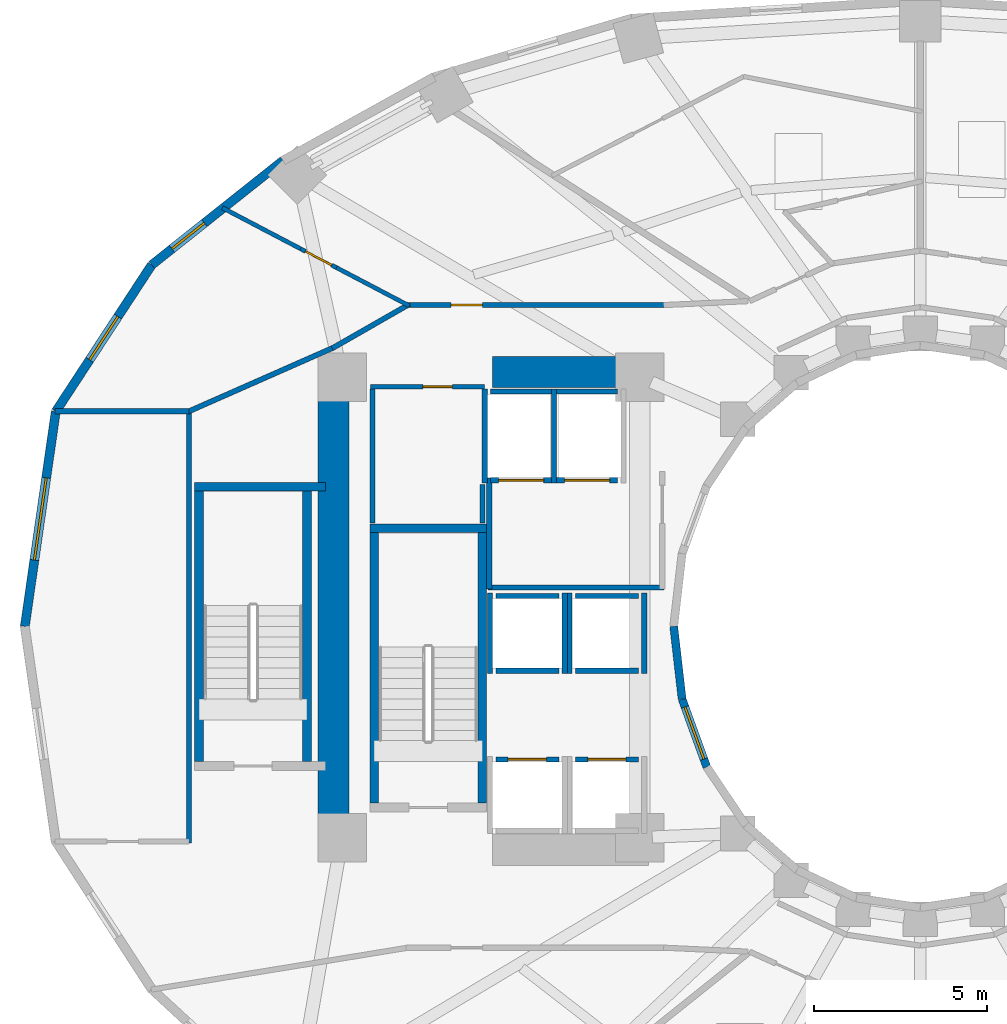
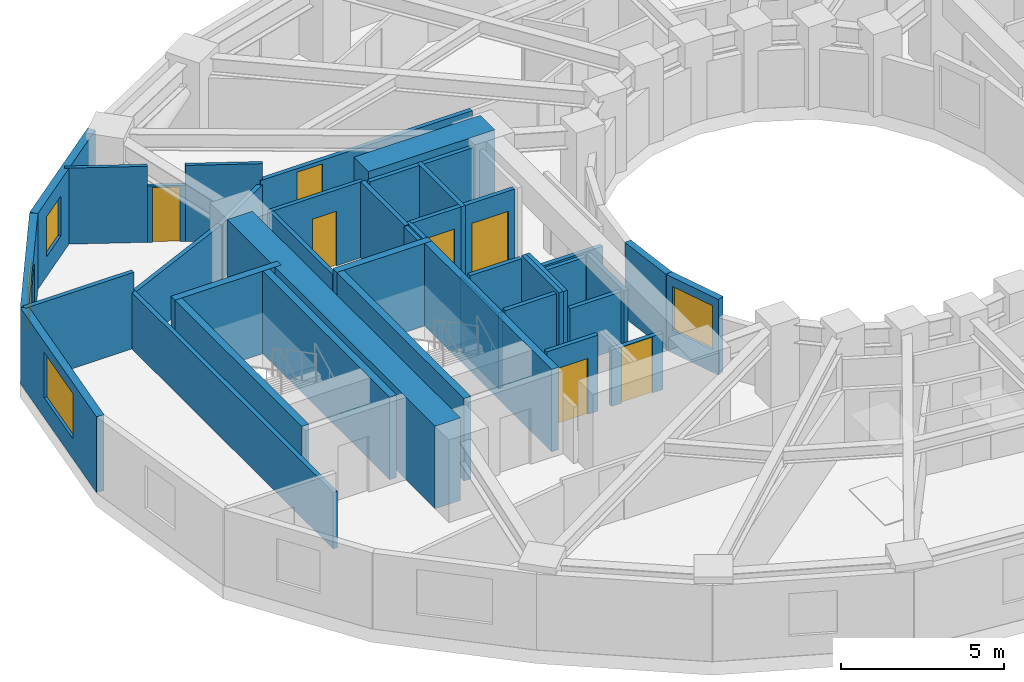
# One storey, part 4 of 9: 42 walls, 7 doors, 4 windows, 11 openings.
"""IFC4 building model written with IfcOpenShell, lengths in metres."""

from ifc_helpers import new_model, si_unit, direction, frame, frame_2d, origin, place, context, subcontext, project, spatial, rectangle, extrude, material, layer, layer_set, type_object, element, fill, save


model = new_model("IFC4")

# Units and contexts
model_context = context("Model", 3, precision=1e-05, world=origin(), true_north=direction((0.0, 1.0)))
body_context = subcontext(model_context, "Body", "Model", "MODEL_VIEW")
ifc_project = project(units=[si_unit("LENGTHUNIT", "METRE"), si_unit("AREAUNIT", "SQUARE_METRE"), si_unit("VOLUMEUNIT", "CUBIC_METRE"), si_unit("PLANEANGLEUNIT", "RADIAN"), si_unit("MASSUNIT", "GRAM", prefix="KILO")], contexts=[model_context])

# Site, building, storey
site_placement = place(None, origin())
site = spatial("IfcSite", under=ifc_project, at=site_placement, CompositionType="ELEMENT")
building_placement = place(site_placement, origin())
building = spatial("IfcBuilding", under=site, at=building_placement, Name="Solvane Sanctuary Tower", CompositionType="ELEMENT")
storey_placement = place(building_placement, frame((0.0, 0.0, 55.5)))
storey = spatial("IfcBuildingStorey", under=building, at=storey_placement, Name="L16", CompositionType="ELEMENT", Elevation=55.5)

# Walls
ifc_material_1 = material(Name="Concrete C70/85", Category="concrete")
ifc_layer_1 = layer(ifc_material_1, 0.89990234375, Name="Concrete C70/85")
ifc_layer_set_1 = layer_set([ifc_layer_1], Name="Concrete C70/85")
wall_type_1 = type_object("IfcWallType", Name="Wall W-CORE-900", PredefinedType="SHEAR", material=ifc_layer_set_1)
wall_1_placement = place(storey_placement, frame((15.050048828125, 17.050048828125, 0.0), z_axis=(0.0, 0.0, 1.0), x_axis=(0.0, 1.0, 0.0)))
element("IfcWall", 1, at=wall_1_placement, inside=storey, type_object=wall_type_1, Name="L16 Core Shear Wall WC-W", PredefinedType="SHEAR", context=body_context, shape_type="SweptSolid", body=[
    extrude(rectangle(XDim=12.800048828125, YDim=0.89990234375, at=frame_2d((6.39990234375, 0.0))), origin(), (0.0, 0.0, 1.0), 3.10009765625),
])
wall_2_placement = place(storey_placement, frame((19.64990234375, 30.35009765625, 0.0), z_axis=(0.0, 0.0, 1.0), x_axis=(1.0, 0.0, 0.0)))
element("IfcWall", 2, at=wall_2_placement, inside=storey, type_object=wall_type_1, Name="L16 Core Shear Wall WC-N", PredefinedType="SHEAR", context=body_context, shape_type="SweptSolid", body=[
    extrude(rectangle(XDim=4.5, YDim=0.89990234375, at=frame_2d((2.25, 0.0))), origin(), (0.0, 0.0, 1.0), 3.10009765625),
])
ifc_material_2 = material(Name="Acoustic Gypsum Partition Board")
ifc_layer_2 = layer(ifc_material_2, 0.14990234375, Name="Acoustic Gypsum Partition Board")
ifc_layer_set_2 = layer_set([ifc_layer_2], Name="Acoustic Gypsum Partition Board")
wall_type_2 = type_object("IfcWallType", Name="Wall W-CORR-150", PredefinedType="PARTITIONING", material=ifc_layer_set_2)
wall_3_placement = place(storey_placement, frame((19.52001953125, 24.1201171875, 0.0), z_axis=(0.0, 0.0, 1.0), x_axis=(1.0, 0.0, 0.0)))
element("IfcWall", 3, at=wall_3_placement, inside=storey, type_object=wall_type_2, Name="L16 West Firefighting Lobby South Wall", PredefinedType="PARTITIONING", context=body_context, shape_type="SweptSolid", body=[
    extrude(rectangle(XDim=5.080078125, YDim=0.14990234375, at=frame_2d((2.5400390625, 0.0))), origin(), (0.0, 0.0, 1.0), 2.1201171875),
])
wall_4_placement = place(storey_placement, frame((19.550048828125, 24.080078125, 0.0), z_axis=(0.0, 0.0, 1.0), x_axis=(0.0, 1.0, 0.0)))
element("IfcWall", 4, at=wall_4_placement, inside=storey, type_object=wall_type_2, Name="L16 West Firefighting Lobby West Wall", PredefinedType="PARTITIONING", context=body_context, shape_type="SweptSolid", body=[
    extrude(rectangle(XDim=3.199951171875, YDim=0.14990234375, at=frame_2d((1.60009765625, 0.0))), origin(), (0.0, 0.0, 1.0), 2.85498046875),
])
wall_5_placement = place(storey_placement, frame((10.8798828125, 16.748291015625, 0.0), z_axis=(0.0, 0.0, 1.0), x_axis=(0.0, 1.0, 0.0)))
element("IfcWall", 5, at=wall_5_placement, inside=storey, type_object=wall_type_2, Name="L16 West Shoulder Back Wall", PredefinedType="PARTITIONING", context=body_context, shape_type="SweptSolid", body=[
    extrude(rectangle(XDim=12.50341796875, YDim=0.14990234375, at=frame_2d((6.251708984375, 0.0))), origin(), (0.0, 0.0, 1.0), 2.1201171875),
])
wall_6_placement = place(storey_placement, frame((7.013671875, 29.211669921875, 0.0), z_axis=(0.0, 0.0, 1.0), x_axis=(1.0, 0.0, 0.0)))
element("IfcWall", 6, at=wall_6_placement, inside=storey, type_object=wall_type_2, Name="L16 West Shoulder North Wall", PredefinedType="PARTITIONING", context=body_context, shape_type="SweptSolid", body=[
    extrude(rectangle(XDim=3.8662109375, YDim=0.14990234375, at=frame_2d((1.93310546875, 0.0))), origin(), (0.0, 0.0, 1.0), 2.85498046875),
])
wall_7_placement = place(storey_placement, frame((10.843505859375, 29.195556640625, 0.0), z_axis=(0.0, 0.0, 1.0), x_axis=(0.91502756289, 0.403391322604, 0.0)))
element("IfcWall", 7, at=wall_7_placement, inside=storey, type_object=wall_type_2, Name="L16 NW Corner Closer 1", PredefinedType="PARTITIONING", context=body_context, shape_type="SweptSolid", body=[
    extrude(rectangle(XDim=4.63720703125, YDim=0.14990234375, at=frame_2d((2.318603515625, 0.0))), origin(), (0.0, 0.0, 1.0), 2.069091796875),
])

# Wall, opening, door
wall_8_placement = place(storey_placement, frame((17.14990234375, 32.280029296875, 0.0), z_axis=(0.0, 0.0, 1.0), x_axis=(1.0, 0.0, 0.0)))
wall_8 = element("IfcWall", 8, at=wall_8_placement, inside=storey, type_object=wall_type_2, Name="L16 NW Corner Corridor Wall", PredefinedType="PARTITIONING", context=body_context, shape_type="SweptSolid", body=[
    extrude(rectangle(XDim=7.52001953125, YDim=0.14990234375, at=frame_2d((3.760009765625, 0.0))), origin(), (0.0, 0.0, 1.0), 2.237060546875),
])
opening_1_placement = place(wall_8_placement, frame((1.300048828125, 0.0, 0.0)))
opening_1 = element("IfcOpeningElement", 9, at=opening_1_placement, cuts=wall_8, Name="Opening D-L16-14", PredefinedType="OPENING", context=body_context, shape_type="SweptSolid", body=[
    extrude(rectangle(XDim=0.89990234375, YDim=2.10009765625, at=frame_2d((0.449951171875, 1.050048828125))), frame((0.0, 0.0849609375, 0.0), z_axis=(0.0, -1.0, 0.0), x_axis=(1.0, 0.0, 0.0)), (0.0, 0.0, 1.0), 0.169921875),
])
ifc_material_3 = material(Name="Engineered Tropical Hardwood", Category="wood")
door_type_1 = type_object("IfcDoorType", Name="Door D-WET-900", OperationType="NOTDEFINED", PredefinedType="DOOR", material=ifc_material_3)
door_1_placement = place(opening_1_placement, origin())
door_1 = element("IfcDoor", 10, at=door_1_placement, inside=storey, type_object=door_type_1, Name="L16 NW Corner Salon Door", OperationType="SINGLE_SWING_RIGHT", OverallHeight=2.10009765625, OverallWidth=0.89990234375, PredefinedType="DOOR", context=body_context, shape_type="SweptSolid", body=[
    extrude(rectangle(XDim=0.89990234375, YDim=2.10009765625, at=frame_2d((0.449951171875, 1.050048828125))), frame((0.0, 0.02490234375, 0.0), z_axis=(0.0, -1.0, 0.0), x_axis=(1.0, 0.0, 0.0)), (0.0, 0.0, 1.0), 0.050048828125),
])
fill(opening_1, door_1)

# Wall
wall_9_placement = place(storey_placement, frame((17.243408203125, 32.3046875, 0.0), z_axis=(0.0, 0.0, 1.0), x_axis=(-0.867991349648, -0.496579315857, 0.0)))
element("IfcWall", 11, at=wall_9_placement, inside=storey, type_object=wall_type_2, Name="L16 NW Corner Wing Wall", PredefinedType="PARTITIONING", context=body_context, shape_type="SweptSolid", body=[
    extrude(rectangle(XDim=2.56689453125, YDim=0.14990234375, at=frame_2d((1.283447265625, 0.0))), origin(), (0.0, 0.0, 1.0), 2.069091796875),
])

# Wall, opening, window
ifc_material_4 = material(Name="Precast concrete C40/50", Category="concrete")
ifc_layer_3 = layer(ifc_material_4, 0.260009765625, Name="Precast concrete C40/50")
ifc_layer_set_3 = layer_set([ifc_layer_3], Name="Precast concrete C40/50")
wall_type_3 = type_object("IfcWallType", Name="Wall W-EXT-250", PredefinedType="STANDARD", material=ifc_layer_set_3)
wall_10_placement = place(storey_placement, frame((13.595458984375, 36.449951171875, 0.0), z_axis=(0.0, 0.0, 1.0), x_axis=(-0.783123133379, -0.621866672179, 0.0)))
wall_10 = element("IfcWall", 12, at=wall_10_placement, inside=storey, type_object=wall_type_3, Name="L16 Ceramic-Printed Facade Wall 09", PredefinedType="STANDARD", context=body_context, shape_type="SweptSolid", body=[
    extrude(rectangle(XDim=4.838623046875, YDim=0.260009765625, at=frame_2d((2.41943359375, 0.0))), origin(), (0.0, 0.0, 1.0), 2.85009765625),
])
opening_2_placement = place(wall_10_placement, frame((2.897705078125, 0.0, 0.75)))
opening_2 = element("IfcOpeningElement", 13, at=opening_2_placement, cuts=wall_10, Name="Opening WN-OPER-1200", PredefinedType="OPENING", context=body_context, shape_type="SweptSolid", body=[
    extrude(rectangle(XDim=1.199951171875, YDim=1.5, at=frame_2d((0.60009765625, 0.75))), frame((0.0, 0.139892578125, 0.0), z_axis=(0.0, -1.0, 0.0), x_axis=(1.0, 0.0, 0.0)), (0.0, 0.0, 1.0), 0.280029296875),
])
ifc_material_5 = material(Name="Dark Ceramic-Fritted Low-E Glass", Category="glass")
window_type_1 = type_object("IfcWindowType", Name="Window WN-OPER-1200", PartitioningType="SINGLE_PANEL", PredefinedType="WINDOW", material=ifc_material_5)
window_1_placement = place(opening_2_placement, origin())
window_1 = element("IfcWindow", 14, at=window_1_placement, inside=storey, type_object=window_type_1, Name="L16 Operable Facade Window 09", OverallHeight=1.5, OverallWidth=1.199951171875, PartitioningType="SINGLE_PANEL", PredefinedType="WINDOW", context=body_context, shape_type="SweptSolid", body=[
    extrude(rectangle(XDim=1.199951171875, YDim=1.5, at=frame_2d((0.60009765625, 0.75))), frame((0.0, 0.030029296875, 0.0), z_axis=(0.0, -1.0, 0.0), x_axis=(1.0, 0.0, 0.0)), (0.0, 0.0, 1.0), 0.06005859375),
])
fill(opening_2, window_1)

wall_11_placement = place(storey_placement, frame((9.80615234375, 33.44091796875, 0.0), z_axis=(0.0, 0.0, 1.0), x_axis=(-0.547702757047, -0.836672988642, 0.0)))
wall_11 = element("IfcWall", 15, at=wall_11_placement, inside=storey, type_object=wall_type_3, Name="L16 Ceramic-Printed Facade Wall 10", PredefinedType="STANDARD", context=body_context, shape_type="SweptSolid", body=[
    extrude(rectangle(XDim=5.0625, YDim=0.260009765625, at=frame_2d((2.53125, 0.0))), origin(), (0.0, 0.0, 1.0), 2.85009765625),
])
opening_3_placement = place(wall_11_placement, frame((1.78125, 0.0, 0.75)))
opening_3 = element("IfcOpeningElement", 16, at=opening_3_placement, cuts=wall_11, Name="Opening WN-OPER-1500", PredefinedType="OPENING", context=body_context, shape_type="SweptSolid", body=[
    extrude(rectangle(XDim=1.5, YDim=1.60009765625, at=frame_2d((0.75, 0.800048828125))), frame((0.0, 0.139892578125, 0.0), z_axis=(0.0, -1.0, 0.0), x_axis=(1.0, 0.0, 0.0)), (0.0, 0.0, 1.0), 0.280029296875),
])
window_type_2 = type_object("IfcWindowType", Name="Window WN-OPER-1500", PartitioningType="SINGLE_PANEL", PredefinedType="WINDOW", material=ifc_material_5)
window_2_placement = place(opening_3_placement, origin())
window_2 = element("IfcWindow", 17, at=window_2_placement, inside=storey, type_object=window_type_2, Name="L16 Operable Facade Window 10", OverallHeight=1.60009765625, OverallWidth=1.5, PartitioningType="SINGLE_PANEL", PredefinedType="WINDOW", context=body_context, shape_type="SweptSolid", body=[
    extrude(rectangle(XDim=1.5, YDim=1.60009765625, at=frame_2d((0.75, 0.800048828125))), frame((0.0, 0.030029296875, 0.0), z_axis=(0.0, -1.0, 0.0), x_axis=(1.0, 0.0, 0.0)), (0.0, 0.0, 1.0), 0.06005859375),
])
fill(opening_3, window_2)

wall_12_placement = place(storey_placement, frame((7.033447265625, 29.205322265625, 0.0), z_axis=(0.0, 0.0, 1.0), x_axis=(-0.142528001686, -0.989790770181, 0.0)))
wall_12 = element("IfcWall", 18, at=wall_12_placement, inside=storey, type_object=wall_type_3, Name="L16 Ceramic-Printed Facade Wall 11", PredefinedType="STANDARD", context=body_context, shape_type="SweptSolid", body=[
    extrude(rectangle(XDim=6.269287109375, YDim=0.260009765625, at=frame_2d((3.134765625, 0.0))), origin(), (0.0, 0.0, 1.0), 2.85009765625),
])
opening_4_placement = place(wall_12_placement, frame((1.9345703125, 0.0, 0.75)))
opening_4 = element("IfcOpeningElement", 19, at=opening_4_placement, cuts=wall_12, Name="Opening WN-RIB-2400", PredefinedType="OPENING", context=body_context, shape_type="SweptSolid", body=[
    extrude(rectangle(XDim=2.39990234375, YDim=1.699951171875, at=frame_2d((1.199951171875, 0.85009765625))), frame((0.0, 0.139892578125, 0.0), z_axis=(0.0, -1.0, 0.0), x_axis=(1.0, 0.0, 0.0)), (0.0, 0.0, 1.0), 0.280029296875),
])
window_type_3 = type_object("IfcWindowType", Name="Window WN-RIB-2400", PartitioningType="SINGLE_PANEL", PredefinedType="WINDOW", material=ifc_material_5)
window_3_placement = place(opening_4_placement, origin())
window_3 = element("IfcWindow", 20, at=window_3_placement, inside=storey, type_object=window_type_3, Name="L16 Operable Facade Window 11", OverallHeight=1.699951171875, OverallWidth=2.39990234375, PartitioningType="SINGLE_PANEL", PredefinedType="WINDOW", context=body_context, shape_type="SweptSolid", body=[
    extrude(rectangle(XDim=2.39990234375, YDim=1.699951171875, at=frame_2d((1.199951171875, 0.85009765625))), frame((0.0, 0.030029296875, 0.0), z_axis=(0.0, -1.0, 0.0), x_axis=(1.0, 0.0, 0.0)), (0.0, 0.0, 1.0), 0.06005859375),
])
fill(opening_4, window_3)

# Wall
ifc_layer_4 = layer(ifc_material_4, 0.22998046875, Name="Precast concrete C40/50")
ifc_layer_set_4 = layer_set([ifc_layer_4], Name="Precast concrete C40/50")
wall_type_4 = type_object("IfcWallType", Name="Wall W-EXT-SP220", PredefinedType="STANDARD", material=ifc_layer_set_4)
wall_13_placement = place(storey_placement, frame((24.8798828125, 23.0, 0.0), z_axis=(0.0, 0.0, 1.0), x_axis=(0.114711713601, -0.993398823617, 0.0)))
element("IfcWall", 21, at=wall_13_placement, inside=storey, type_object=wall_type_4, Name="L16 Central Light-Well Wall 12", PredefinedType="STANDARD", context=body_context, shape_type="SweptSolid", body=[
    extrude(rectangle(XDim=2.115478515625, YDim=0.22998046875, at=frame_2d((1.0576171875, 0.0))), origin(), (0.0, 0.0, 1.0), 2.840087890625),
])

# Wall, opening, window
wall_14_placement = place(storey_placement, frame((25.12255859375, 20.8984375, 0.0), z_axis=(0.0, 0.0, 1.0), x_axis=(0.341423187295, -0.93990968033, 0.0)))
wall_14 = element("IfcWall", 22, at=wall_14_placement, inside=storey, type_object=wall_type_4, Name="L16 Central Light-Well Wall 13", PredefinedType="STANDARD", context=body_context, shape_type="SweptSolid", body=[
    extrude(rectangle(XDim=2.083740234375, YDim=0.22998046875, at=frame_2d((1.0419921875, 0.0))), origin(), (0.0, 0.0, 1.0), 2.840087890625),
])
opening_5_placement = place(wall_14_placement, frame((0.24169921875, 0.0, 0.85009765625)))
opening_5 = element("IfcOpeningElement", 23, at=opening_5_placement, cuts=wall_14, Name="Opening WN-WELL-1600", PredefinedType="OPENING", context=body_context, shape_type="SweptSolid", body=[
    extrude(rectangle(XDim=1.60009765625, YDim=1.64990234375, at=frame_2d((0.800048828125, 0.824951171875))), frame((0.0, 0.125, 0.0), z_axis=(0.0, -1.0, 0.0), x_axis=(1.0, 0.0, 0.0)), (0.0, 0.0, 1.0), 0.25),
])
ifc_material_6 = material(Name="Clear Laminated Light-Well Glass", Category="glass")
window_type_4 = type_object("IfcWindowType", Name="Window WN-WELL-1600", PartitioningType="SINGLE_PANEL", PredefinedType="WINDOW", material=ifc_material_6)
window_4_placement = place(opening_5_placement, origin())
window_4 = element("IfcWindow", 24, at=window_4_placement, inside=storey, type_object=window_type_4, Name="L16 Light-Well Daylight Window 13", OverallHeight=1.64990234375, OverallWidth=1.60009765625, PartitioningType="SINGLE_PANEL", PredefinedType="WINDOW", context=body_context, shape_type="SweptSolid", body=[
    extrude(rectangle(XDim=1.60009765625, YDim=1.64990234375, at=frame_2d((0.800048828125, 0.824951171875))), frame((0.0, 0.030029296875, 0.0), z_axis=(0.0, -1.0, 0.0), x_axis=(1.0, 0.0, 0.0)), (0.0, 0.0, 1.0), 0.06005859375),
])
fill(opening_5, window_4)

# Wall
ifc_layer_5 = layer(ifc_material_2, 0.1201171875, Name="Acoustic Gypsum Partition Board")
ifc_layer_set_5 = layer_set([ifc_layer_5], Name="Acoustic Gypsum Partition Board")
wall_type_5 = type_object("IfcWallType", Name="Wall W-MOV-100", PredefinedType="MOVABLE", material=ifc_layer_set_5)
wall_15_placement = place(storey_placement, frame((17.244384765625, 32.2568359375, 0.0), z_axis=(0.0, 0.0, 1.0), x_axis=(-0.885586030676, 0.464475383924, 0.0)))
element("IfcWall", 25, at=wall_15_placement, inside=storey, type_object=wall_type_5, Name="L16 NW Corner Suite Partition", PredefinedType="MOVABLE", context=body_context, shape_type="SweptSolid", body=[
    extrude(rectangle(XDim=2.375732421875, YDim=0.1201171875, at=frame_2d((1.18798828125, 0.0))), origin(), (0.0, 0.0, 1.0), 2.85498046875),
])

# Wall, opening, door
wall_16_placement = place(storey_placement, frame((15.140380859375, 33.3603515625, 0.0), z_axis=(0.0, 0.0, 1.0), x_axis=(-0.885447282698, 0.464739829972, 0.0)))
wall_16 = element("IfcWall", 26, at=wall_16_placement, inside=storey, type_object=wall_type_5, Name="L16 NW Corner Suite Partition", PredefinedType="MOVABLE", context=body_context, shape_type="SweptSolid", body=[
    extrude(rectangle(XDim=1.169921875, YDim=0.1201171875, at=frame_2d((0.5849609375, 0.0))), origin(), (0.0, 0.0, 1.0), 2.110107421875),
])
opening_6_placement = place(wall_16_placement, frame((0.159912109375, 0.0, 0.0)))
opening_6 = element("IfcOpeningElement", 27, at=opening_6_placement, cuts=wall_16, Name="Opening D-L16-13", PredefinedType="OPENING", context=body_context, shape_type="SweptSolid", body=[
    extrude(rectangle(XDim=0.85009765625, YDim=2.050048828125, at=frame_2d((0.425048828125, 1.02490234375))), frame((0.0, 0.070068359375, 0.0), z_axis=(0.0, -1.0, 0.0), x_axis=(1.0, 0.0, 0.0)), (0.0, 0.0, 1.0), 0.14013671875),
])
ifc_material_7 = material(Name="Architectural Stainless Steel 316", Category="steel")
door_type_2 = type_object("IfcDoorType", Name="Door D-RISER", OperationType="NOTDEFINED", PredefinedType="DOOR", material=ifc_material_7)
door_2_placement = place(opening_6_placement, origin())
door_2 = element("IfcDoor", 28, at=door_2_placement, inside=storey, type_object=door_type_2, Name="L16 NW Corner Suite Door", OperationType="SINGLE_SWING_LEFT", OverallHeight=2.050048828125, OverallWidth=0.85009765625, PredefinedType="DOOR", context=body_context, shape_type="SweptSolid", body=[
    extrude(rectangle(XDim=0.85009765625, YDim=2.050048828125, at=frame_2d((0.425048828125, 1.02490234375))), frame((0.0, 0.02490234375, 0.0), z_axis=(0.0, -1.0, 0.0), x_axis=(1.0, 0.0, 0.0)), (0.0, 0.0, 1.0), 0.050048828125),
])
fill(opening_6, door_2)

# Wall
wall_17_placement = place(storey_placement, frame((14.1044921875, 33.904052734375, 0.0), z_axis=(0.0, 0.0, 1.0), x_axis=(-0.885573027611, 0.464500175208, 0.0)))
element("IfcWall", 29, at=wall_17_placement, inside=storey, type_object=wall_type_5, Name="L16 NW Corner Suite Partition", PredefinedType="MOVABLE", context=body_context, shape_type="SweptSolid", body=[
    extrude(rectangle(XDim=2.55224609375, YDim=0.1201171875, at=frame_2d((1.276123046875, 0.0))), origin(), (0.0, 0.0, 1.0), 2.85498046875),
])

# Wall, opening, door
ifc_material_8 = material(Name="Concrete C50/60", Category="concrete")
ifc_layer_6 = layer(ifc_material_8, 0.14990234375, Name="Concrete C50/60")
ifc_layer_set_6 = layer_set([ifc_layer_6], Name="Concrete C50/60")
wall_type_6 = type_object("IfcWallType", Name="Wall W-SHAFT-150", PredefinedType="SOLIDWALL", material=ifc_layer_set_6)
wall_18_placement = place(storey_placement, frame((19.739990234375, 19.159912109375, 0.0), z_axis=(0.0, 0.0, 1.0), x_axis=(1.0, 0.0, 0.0)))
wall_18 = element("IfcWall", 30, at=wall_18_placement, inside=storey, type_object=wall_type_6, Name="L16 PL-1 Lift Shaft Wall F", PredefinedType="SOLIDWALL", context=body_context, shape_type="SweptSolid", body=[
    extrude(rectangle(XDim=1.820068359375, YDim=0.14990234375, at=frame_2d((0.91015625, 0.0))), origin(), (0.0, 0.0, 1.0), 2.85498046875),
])
opening_7_placement = place(wall_18_placement, frame((0.360107421875, 0.0, 0.0)))
opening_7 = element("IfcOpeningElement", 31, at=opening_7_placement, cuts=wall_18, Name="Opening LD-L16-01", PredefinedType="OPENING", context=body_context, shape_type="SweptSolid", body=[
    extrude(rectangle(XDim=1.10009765625, YDim=2.10009765625, at=frame_2d((0.550048828125, 1.050048828125))), frame((0.0, 0.0849609375, 0.0), z_axis=(0.0, -1.0, 0.0), x_axis=(1.0, 0.0, 0.0)), (0.0, 0.0, 1.0), 0.169921875),
])
door_type_3 = type_object("IfcDoorType", Name="Door LD-PASS-1100", OperationType="NOTDEFINED", PredefinedType="DOOR", material=ifc_material_7)
door_3_placement = place(opening_7_placement, origin())
door_3 = element("IfcDoor", 32, at=door_3_placement, inside=storey, type_object=door_type_3, Name="L16 PL-1 Lift Landing Door", OperationType="DOUBLE_DOOR_SLIDING", OverallHeight=2.10009765625, OverallWidth=1.10009765625, PredefinedType="DOOR", context=body_context, shape_type="SweptSolid", body=[
    extrude(rectangle(XDim=1.10009765625, YDim=2.10009765625, at=frame_2d((0.550048828125, 1.050048828125))), frame((0.0, 0.02490234375, 0.0), z_axis=(0.0, -1.0, 0.0), x_axis=(1.0, 0.0, 0.0)), (0.0, 0.0, 1.0), 0.050048828125),
])
fill(opening_7, door_3)

wall_19_placement = place(storey_placement, frame((22.0400390625, 19.159912109375, 0.0), z_axis=(0.0, 0.0, 1.0), x_axis=(1.0, 0.0, 0.0)))
wall_19 = element("IfcWall", 33, at=wall_19_placement, inside=storey, type_object=wall_type_6, Name="L16 PL-2 Lift Shaft Wall F", PredefinedType="SOLIDWALL", context=body_context, shape_type="SweptSolid", body=[
    extrude(rectangle(XDim=1.820068359375, YDim=0.14990234375, at=frame_2d((0.91015625, 0.0))), origin(), (0.0, 0.0, 1.0), 2.1201171875),
])
opening_8_placement = place(wall_19_placement, frame((0.360107421875, 0.0, 0.0)))
opening_8 = element("IfcOpeningElement", 34, at=opening_8_placement, cuts=wall_19, Name="Opening LD-L16-02", PredefinedType="OPENING", context=body_context, shape_type="SweptSolid", body=[
    extrude(rectangle(XDim=1.10009765625, YDim=2.10009765625, at=frame_2d((0.550048828125, 1.050048828125))), frame((0.0, 0.0849609375, 0.0), z_axis=(0.0, -1.0, 0.0), x_axis=(1.0, 0.0, 0.0)), (0.0, 0.0, 1.0), 0.169921875),
])
door_4_placement = place(opening_8_placement, origin())
door_4 = element("IfcDoor", 35, at=door_4_placement, inside=storey, type_object=door_type_3, Name="L16 PL-2 Lift Landing Door", OperationType="DOUBLE_DOOR_SLIDING", OverallHeight=2.10009765625, OverallWidth=1.10009765625, PredefinedType="DOOR", context=body_context, shape_type="SweptSolid", body=[
    extrude(rectangle(XDim=1.10009765625, YDim=2.10009765625, at=frame_2d((0.550048828125, 1.050048828125))), frame((0.0, 0.02490234375, 0.0), z_axis=(0.0, -1.0, 0.0), x_axis=(1.0, 0.0, 0.0)), (0.0, 0.0, 1.0), 0.050048828125),
])
fill(opening_8, door_4)

# Walls
for number, where, z_axis, x_axis, name in (
    (36, (19.739990234375, 21.719970703125, 0.0), (0.0, 0.0, 1.0), (1.0, 0.0, 0.0), "L16 PM-1 Lift Shaft Wall F"),
    (37, (19.739990234375, 23.8798828125, 0.0), (0.0, 0.0, 1.0), (1.0, 0.0, 0.0), "L16 PM-1 Lift Shaft Wall B"),
):
    element("IfcWall", number, at=place(storey_placement, frame(where, z_axis=z_axis, x_axis=x_axis)), inside=storey, type_object=wall_type_6, Name=name, PredefinedType="SOLIDWALL", context=body_context, shape_type="SweptSolid", body=[
        extrude(rectangle(XDim=1.820068359375, YDim=0.14990234375, at=frame_2d((0.91015625, 0.0))), origin(), (0.0, 0.0, 1.0), 2.85498046875),
    ])
for number, where, z_axis, x_axis, name in (
    (38, (19.570068359375, 21.639892578125, 0.0), (0.0, 0.0, 1.0), (0.0, 1.0, 0.0), "L16 PM-1 Lift Shaft Wall S1"),
    (39, (21.72998046875, 21.639892578125, 0.0), (0.0, 0.0, 1.0), (0.0, 1.0, 0.0), "L16 PM-1 Lift Shaft Wall S2"),
):
    element("IfcWall", number, at=place(storey_placement, frame(where, z_axis=z_axis, x_axis=x_axis)), inside=storey, type_object=wall_type_6, Name=name, PredefinedType="SOLIDWALL", context=body_context, shape_type="SweptSolid", body=[
        extrude(rectangle(XDim=2.320068359375, YDim=0.14990234375, at=frame_2d((1.16015625, 0.0))), origin(), (0.0, 0.0, 1.0), 2.85498046875),
    ])
for number, where, z_axis, x_axis, name in (
    (40, (22.0400390625, 21.719970703125, 0.0), (0.0, 0.0, 1.0), (1.0, 0.0, 0.0), "L16 PH-1 Lift Shaft Wall F"),
    (41, (22.0400390625, 23.8798828125, 0.0), (0.0, 0.0, 1.0), (1.0, 0.0, 0.0), "L16 PH-1 Lift Shaft Wall B"),
):
    element("IfcWall", number, at=place(storey_placement, frame(where, z_axis=z_axis, x_axis=x_axis)), inside=storey, type_object=wall_type_6, Name=name, PredefinedType="SOLIDWALL", context=body_context, shape_type="SweptSolid", body=[
        extrude(rectangle(XDim=1.820068359375, YDim=0.14990234375, at=frame_2d((0.91015625, 0.0))), origin(), (0.0, 0.0, 1.0), 2.1201171875),
    ])
wall_20_placement = place(storey_placement, frame((21.8701171875, 21.639892578125, 0.0), z_axis=(0.0, 0.0, 1.0), x_axis=(0.0, 1.0, 0.0)))
element("IfcWall", 42, at=wall_20_placement, inside=storey, type_object=wall_type_6, Name="L16 PH-1 Lift Shaft Wall S1", PredefinedType="SOLIDWALL", context=body_context, shape_type="SweptSolid", body=[
    extrude(rectangle(XDim=2.320068359375, YDim=0.14990234375, at=frame_2d((1.16015625, 0.0))), origin(), (0.0, 0.0, 1.0), 2.85498046875),
])
wall_21_placement = place(storey_placement, frame((24.030029296875, 21.639892578125, 0.0), z_axis=(0.0, 0.0, 1.0), x_axis=(0.0, 1.0, 0.0)))
element("IfcWall", 43, at=wall_21_placement, inside=storey, type_object=wall_type_6, Name="L16 PH-1 Lift Shaft Wall S2", PredefinedType="SOLIDWALL", context=body_context, shape_type="SweptSolid", body=[
    extrude(rectangle(XDim=2.320068359375, YDim=0.14990234375, at=frame_2d((1.16015625, 0.0))), origin(), (0.0, 0.0, 1.0), 2.1201171875),
])

# Wall, opening, door
wall_22_placement = place(storey_placement, frame((19.590087890625, 27.219970703125, 0.0), z_axis=(0.0, 0.0, 1.0), x_axis=(1.0, 0.0, 0.0)))
wall_22 = element("IfcWall", 44, at=wall_22_placement, inside=storey, type_object=wall_type_6, Name="L16 FFL-1 Lift Shaft Wall F", PredefinedType="SOLIDWALL", context=body_context, shape_type="SweptSolid", body=[
    extrude(rectangle(XDim=1.760009765625, YDim=0.14990234375, at=frame_2d((0.8798828125, 0.0))), origin(), (0.0, 0.0, 1.0), 2.85498046875),
])
opening_9_placement = place(wall_22_placement, frame((0.22998046875, 0.0, 0.0)))
opening_9 = element("IfcOpeningElement", 45, at=opening_9_placement, cuts=wall_22, Name="Opening LD-L16-05", PredefinedType="OPENING", context=body_context, shape_type="SweptSolid", body=[
    extrude(rectangle(XDim=1.300048828125, YDim=2.10009765625, at=frame_2d((0.64990234375, 1.050048828125))), frame((0.0, 0.0849609375, 0.0), z_axis=(0.0, -1.0, 0.0), x_axis=(1.0, 0.0, 0.0)), (0.0, 0.0, 1.0), 0.169921875),
])
door_type_4 = type_object("IfcDoorType", Name="Door LD-FFL-1300", OperationType="NOTDEFINED", PredefinedType="DOOR", material=ifc_material_7)
door_5_placement = place(opening_9_placement, origin())
door_5 = element("IfcDoor", 46, at=door_5_placement, inside=storey, type_object=door_type_4, Name="L16 FFL-1 Lift Landing Door", OperationType="DOUBLE_DOOR_SLIDING", OverallHeight=2.10009765625, OverallWidth=1.300048828125, PredefinedType="DOOR", context=body_context, shape_type="SweptSolid", body=[
    extrude(rectangle(XDim=1.300048828125, YDim=2.10009765625, at=frame_2d((0.64990234375, 1.050048828125))), frame((0.0, 0.02490234375, 0.0), z_axis=(0.0, -1.0, 0.0), x_axis=(1.0, 0.0, 0.0)), (0.0, 0.0, 1.0), 0.050048828125),
])
fill(opening_9, door_5)

# Walls
wall_23_placement = place(storey_placement, frame((19.590087890625, 29.780029296875, 0.0), z_axis=(0.0, 0.0, 1.0), x_axis=(1.0, 0.0, 0.0)))
element("IfcWall", 47, at=wall_23_placement, inside=storey, type_object=wall_type_6, Name="L16 FFL-1 Lift Shaft Wall B", PredefinedType="SOLIDWALL", context=body_context, shape_type="SweptSolid", body=[
    extrude(rectangle(XDim=1.760009765625, YDim=0.14990234375, at=frame_2d((0.8798828125, 0.0))), origin(), (0.0, 0.0, 1.0), 2.85498046875),
])
for number, where, z_axis, x_axis, name in (
    (48, (19.419921875, 27.139892578125, 0.0), (0.0, 0.0, 1.0), (0.0, 1.0, 0.0), "L16 FFL-1 Lift Shaft Wall S1"),
    (49, (21.425048828125, 27.139892578125, 0.0), (0.0, 0.0, 1.0), (0.0, 1.0, 0.0), "L16 FFL-1 Lift Shaft Wall S2"),
):
    element("IfcWall", number, at=place(storey_placement, frame(where, z_axis=z_axis, x_axis=x_axis)), inside=storey, type_object=wall_type_6, Name=name, PredefinedType="SOLIDWALL", context=body_context, shape_type="SweptSolid", body=[
        extrude(rectangle(XDim=2.72021484375, YDim=0.14990234375, at=frame_2d((1.360107421875, 0.0))), origin(), (0.0, 0.0, 1.0), 2.85498046875),
    ])

# Wall, opening, door
wall_24_placement = place(storey_placement, frame((21.5, 27.219970703125, 0.0), z_axis=(0.0, 0.0, 1.0), x_axis=(1.0, 0.0, 0.0)))
wall_24 = element("IfcWall", 50, at=wall_24_placement, inside=storey, type_object=wall_type_6, Name="L16 SVL-1 Lift Shaft Wall F", PredefinedType="SOLIDWALL", context=body_context, shape_type="SweptSolid", body=[
    extrude(rectangle(XDim=1.760009765625, YDim=0.14990234375, at=frame_2d((0.8798828125, 0.0))), origin(), (0.0, 0.0, 1.0), 2.85498046875),
])
opening_10_placement = place(wall_24_placement, frame((0.22998046875, 0.0, 0.0)))
opening_10 = element("IfcOpeningElement", 51, at=opening_10_placement, cuts=wall_24, Name="Opening LD-L16-06", PredefinedType="OPENING", context=body_context, shape_type="SweptSolid", body=[
    extrude(rectangle(XDim=1.300048828125, YDim=2.10009765625, at=frame_2d((0.64990234375, 1.050048828125))), frame((0.0, 0.0849609375, 0.0), z_axis=(0.0, -1.0, 0.0), x_axis=(1.0, 0.0, 0.0)), (0.0, 0.0, 1.0), 0.169921875),
])
door_6_placement = place(opening_10_placement, origin())
door_6 = element("IfcDoor", 52, at=door_6_placement, inside=storey, type_object=door_type_4, Name="L16 SVL-1 Lift Landing Door", OperationType="DOUBLE_DOOR_SLIDING", OverallHeight=2.10009765625, OverallWidth=1.300048828125, PredefinedType="DOOR", context=body_context, shape_type="SweptSolid", body=[
    extrude(rectangle(XDim=1.300048828125, YDim=2.10009765625, at=frame_2d((0.64990234375, 1.050048828125))), frame((0.0, 0.02490234375, 0.0), z_axis=(0.0, -1.0, 0.0), x_axis=(1.0, 0.0, 0.0)), (0.0, 0.0, 1.0), 0.050048828125),
])
fill(opening_10, door_6)

# Walls
wall_25_placement = place(storey_placement, frame((21.5, 29.780029296875, 0.0), z_axis=(0.0, 0.0, 1.0), x_axis=(1.0, 0.0, 0.0)))
element("IfcWall", 53, at=wall_25_placement, inside=storey, type_object=wall_type_6, Name="L16 SVL-1 Lift Shaft Wall B", PredefinedType="SOLIDWALL", context=body_context, shape_type="SweptSolid", body=[
    extrude(rectangle(XDim=1.760009765625, YDim=0.14990234375, at=frame_2d((0.8798828125, 0.0))), origin(), (0.0, 0.0, 1.0), 2.85498046875),
])
ifc_layer_7 = layer(ifc_material_8, 0.25, Name="Concrete C50/60")
ifc_layer_set_7 = layer_set([ifc_layer_7], Name="Concrete C50/60")
wall_type_7 = type_object("IfcWallType", Name="Wall W-SHAFT-250", PredefinedType="SOLIDWALL", material=ifc_layer_set_7)
wall_26_placement = place(storey_placement, frame((16.10498046875, 25.830078125, 0.0), z_axis=(0.0, 0.0, 1.0), x_axis=(1.0, 0.0, 0.0)))
element("IfcWall", 54, at=wall_26_placement, inside=storey, type_object=wall_type_7, Name="L16 ST-1 Load-Bearing Shaft Wall N", PredefinedType="SOLIDWALL", context=body_context, shape_type="SweptSolid", body=[
    extrude(rectangle(XDim=3.3701171875, YDim=0.25, at=frame_2d((1.68505859375, 0.0))), origin(), (0.0, 0.0, 1.0), 3.10009765625),
])
for number, where, z_axis, x_axis, name in (
    (55, (16.22998046875, 17.89501953125, 0.0), (0.0, 0.0, 1.0), (0.0, 1.0, 0.0), "L16 ST-1 Load-Bearing Shaft Wall W"),
    (56, (19.35009765625, 17.89501953125, 0.0), (0.0, 0.0, 1.0), (0.0, 1.0, 0.0), "L16 ST-1 Load-Bearing Shaft Wall E"),
):
    element("IfcWall", number, at=place(storey_placement, frame(where, z_axis=z_axis, x_axis=x_axis)), inside=storey, type_object=wall_type_7, Name=name, PredefinedType="SOLIDWALL", context=body_context, shape_type="SweptSolid", body=[
        extrude(rectangle(XDim=7.81005859375, YDim=0.25, at=frame_2d((3.905029296875, 0.0))), origin(), (0.0, 0.0, 1.0), 3.10009765625),
    ])
wall_27_placement = place(storey_placement, frame((11.044921875, 27.030029296875, 0.0), z_axis=(0.0, 0.0, 1.0), x_axis=(1.0, 0.0, 0.0)))
element("IfcWall", 57, at=wall_27_placement, inside=storey, type_object=wall_type_7, Name="L16 ST-3 Load-Bearing Shaft Wall N", PredefinedType="SOLIDWALL", context=body_context, shape_type="SweptSolid", body=[
    extrude(rectangle(XDim=3.781982421875, YDim=0.25, at=frame_2d((1.89111328125, 0.0))), origin(), (0.0, 0.0, 1.0), 3.10009765625),
])
for number, where, z_axis, x_axis, name in (
    (58, (11.169921875, 19.094970703125, 0.0), (0.0, 0.0, 1.0), (0.0, 1.0, 0.0), "L16 ST-3 Load-Bearing Shaft Wall W"),
    (59, (14.2900390625, 19.094970703125, 0.0), (0.0, 0.0, 1.0), (0.0, 1.0, 0.0), "L16 ST-3 Load-Bearing Shaft Wall E"),
):
    element("IfcWall", number, at=place(storey_placement, frame(where, z_axis=z_axis, x_axis=x_axis)), inside=storey, type_object=wall_type_7, Name=name, PredefinedType="SOLIDWALL", context=body_context, shape_type="SweptSolid", body=[
        extrude(rectangle(XDim=7.81005859375, YDim=0.25, at=frame_2d((3.905029296875, 0.0))), origin(), (0.0, 0.0, 1.0), 3.10009765625),
    ])

# Wall, opening, door
ifc_layer_8 = layer(ifc_material_2, 0.139892578125, Name="Acoustic Gypsum Partition Board")
ifc_layer_set_8 = layer_set([ifc_layer_8], Name="Acoustic Gypsum Partition Board")
wall_type_8 = type_object("IfcWallType", Name="Wall W-WET-140", PredefinedType="PLUMBINGWALL", material=ifc_layer_set_8)
wall_28_placement = place(storey_placement, frame((16.1201171875, 29.919921875, 0.0), z_axis=(0.0, 0.0, 1.0), x_axis=(1.0, 0.0, 0.0)))
wall_28 = element("IfcWall", 60, at=wall_28_placement, inside=storey, type_object=wall_type_8, Name="L16 Core Service Front Wall KW0", PredefinedType="PLUMBINGWALL", context=body_context, shape_type="SweptSolid", body=[
    extrude(rectangle(XDim=3.2998046875, YDim=0.139892578125, at=frame_2d((1.64990234375, 0.0))), origin(), (0.0, 0.0, 1.0), 2.85498046875),
])
opening_11_placement = place(wall_28_placement, frame((1.515869140625, 0.0, 0.0)))
opening_11 = element("IfcOpeningElement", 61, at=opening_11_placement, cuts=wall_28, Name="Opening D-L16-06", PredefinedType="OPENING", context=body_context, shape_type="SweptSolid", body=[
    extrude(rectangle(XDim=0.85009765625, YDim=2.050048828125, at=frame_2d((0.425048828125, 1.02490234375))), frame((0.0, 0.079833984375, 0.0), z_axis=(0.0, -1.0, 0.0), x_axis=(1.0, 0.0, 0.0)), (0.0, 0.0, 1.0), 0.159912109375),
])
door_7_placement = place(opening_11_placement, origin())
door_7 = element("IfcDoor", 62, at=door_7_placement, inside=storey, type_object=door_type_2, Name="L16 Core Service Room Door KW0-1", OperationType="SINGLE_SWING_RIGHT", OverallHeight=2.050048828125, OverallWidth=0.85009765625, PredefinedType="DOOR", context=body_context, shape_type="SweptSolid", body=[
    extrude(rectangle(XDim=0.85009765625, YDim=2.050048828125, at=frame_2d((0.425048828125, 1.02490234375))), frame((0.0, 0.02490234375, 0.0), z_axis=(0.0, -1.0, 0.0), x_axis=(1.0, 0.0, 0.0)), (0.0, 0.0, 1.0), 0.050048828125),
])
fill(opening_11, door_7)

# Walls
wall_29_placement = place(storey_placement, frame((16.179931640625, 25.97998046875, 0.0), z_axis=(0.0, 0.0, 1.0), x_axis=(0.0, 1.0, 0.0)))
element("IfcWall", 63, at=wall_29_placement, inside=storey, type_object=wall_type_8, Name="L16 Core Service Side Wall KW0-1", PredefinedType="PLUMBINGWALL", context=body_context, shape_type="SweptSolid", body=[
    extrude(rectangle(XDim=3.880126953125, YDim=0.139892578125, at=frame_2d((1.93994140625, 0.0))), origin(), (0.0, 0.0, 1.0), 2.85498046875),
])
wall_30_placement = place(storey_placement, frame((19.360107421875, 25.97998046875, 0.0), z_axis=(0.0, 0.0, 1.0), x_axis=(0.0, 1.0, 0.0)))
element("IfcWall", 64, at=wall_30_placement, inside=storey, type_object=wall_type_8, Name="L16 Core Service Side Wall KW0-2", PredefinedType="PLUMBINGWALL", context=body_context, shape_type="SweptSolid", body=[
    extrude(rectangle(XDim=1.1201171875, YDim=0.139892578125, at=frame_2d((0.56005859375, 0.0))), origin(), (0.0, 0.0, 1.0), 2.85498046875),
])

save(model, "model.ifc")
